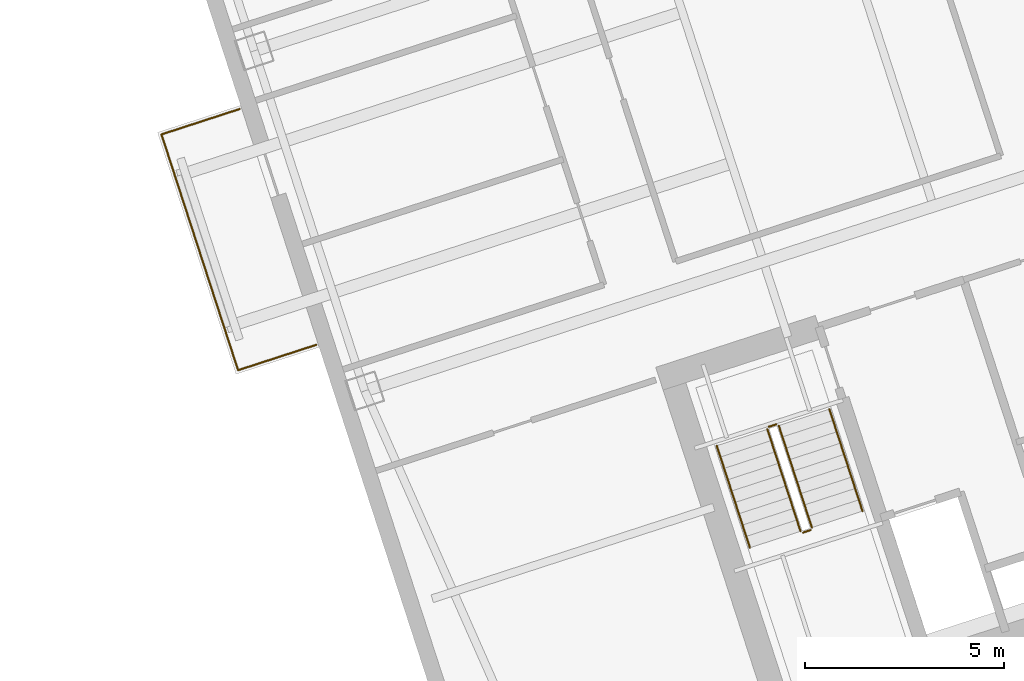
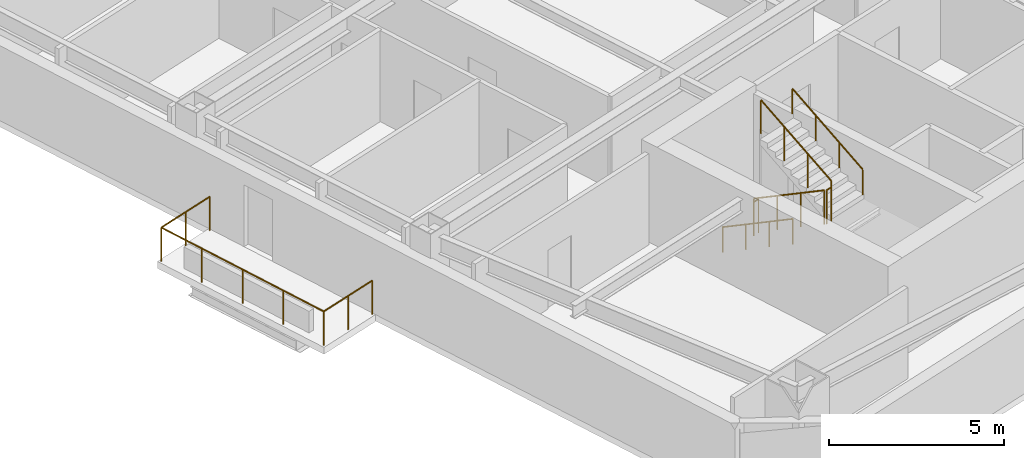
# One storey, part 14 of 15: 7 railings.
"""IFC4 building model written with IfcOpenShell, lengths in metres."""

from ifc_helpers import new_model, si_unit, direction, frame, origin, origin_2d, place, context, subcontext, project, spatial, circle, extrude, material, type_object, element, save


model = new_model("IFC4")

# Units and contexts
model_context = context("Model", 3, precision=1e-05, world=origin(), true_north=direction((0.0, 1.0)))
body_context = subcontext(model_context, "Body", "Model", "MODEL_VIEW")
ifc_project = project(units=[si_unit("LENGTHUNIT", "METRE"), si_unit("AREAUNIT", "SQUARE_METRE"), si_unit("VOLUMEUNIT", "CUBIC_METRE"), si_unit("PLANEANGLEUNIT", "RADIAN"), si_unit("MASSUNIT", "GRAM", prefix="KILO")], contexts=[model_context])

# Site, building, storey
site_placement = place(None, origin())
site = spatial("IfcSite", under=ifc_project, at=site_placement, CompositionType="ELEMENT")
building_placement = place(site_placement, origin())
building = spatial("IfcBuilding", under=site, at=building_placement, Name="Qiaolan Cultural Towers", CompositionType="ELEMENT")
storey_placement = place(building_placement, frame((0.0, 0.0, 166.75)))
storey = spatial("IfcBuildingStorey", under=building, at=storey_placement, Name="L44", CompositionType="ELEMENT", Elevation=166.75)

# Railings
ifc_material_1 = material(Name="Laminated SentryGlas & Stainless Steel S31608 Balustrade", Category="steel")
railing_type_1 = type_object("IfcRailingType", Name="GRD-TERR-1200", PredefinedType="BALUSTRADE", material=ifc_material_1)
railing_1_placement = place(storey_placement, frame((77.24951171875, 21.9501953125, 0.0)))
element("IfcRailing", 1, at=railing_1_placement, inside=storey, type_object=railing_type_1, Name="L44 T2 Tree Balcony Guardrail W", PredefinedType="BALUSTRADE", context=body_context, shape_type="SweptSolid", body=[
    extrude(circle(Radius=0.02392578125, at=origin_2d()), frame((0.0, 0.0, 1.17578125), z_axis=(-0.951061799618, -0.309000733507, 0.0), x_axis=(0.309000733507, -0.951061799618, 0.0)), (0.0, 0.0, 1.0), 2.070068359375),
    extrude(circle(Radius=0.02392578125, at=origin_2d()), frame((-1.96875, -0.6396484375, 1.17578125), z_axis=(-0.30901175762, 0.951058217804, 0.0), x_axis=(-0.951058217804, -0.30901175762, 0.0)), (0.0, 0.0, 1.0), 6.239990234375),
    extrude(circle(Radius=0.02392578125, at=origin_2d()), frame((-3.89697265625, 5.294921875, 1.17578125), z_axis=(0.951061799618, 0.309000733507, 0.0), x_axis=(-0.309000733507, 0.951061799618, 0.0)), (0.0, 0.0, 1.0), 2.070068359375),
    extrude(circle(Radius=0.02099609375, at=origin_2d()), origin(), (0.0, 0.0, 1.0), 1.15185546875),
    extrude(circle(Radius=0.02099609375, at=origin_2d()), frame((-0.984375, -0.31982421875, 0.0)), (0.0, 0.0, 1.0), 1.15185546875),
    extrude(circle(Radius=0.02099609375, at=origin_2d()), frame((-1.96875, -0.6396484375, 0.0)), (0.0, 0.0, 1.0), 1.15185546875),
    extrude(circle(Radius=0.02099609375, at=origin_2d()), frame((-2.45068359375, 0.843994140625, 0.0)), (0.0, 0.0, 1.0), 1.15185546875),
    extrude(circle(Radius=0.02099609375, at=origin_2d()), frame((-2.932861328125, 2.32763671875, 0.0)), (0.0, 0.0, 1.0), 1.15185546875),
    extrude(circle(Radius=0.02099609375, at=origin_2d()), frame((-3.4150390625, 3.811279296875, 0.0)), (0.0, 0.0, 1.0), 1.15185546875),
    extrude(circle(Radius=0.02099609375, at=origin_2d()), frame((-3.89697265625, 5.294921875, 0.0)), (0.0, 0.0, 1.0), 1.15185546875),
    extrude(circle(Radius=0.02099609375, at=origin_2d()), frame((-2.91259765625, 5.61474609375, 0.0)), (0.0, 0.0, 1.0), 1.15185546875),
    extrude(circle(Radius=0.02099609375, at=origin_2d()), frame((-1.92822265625, 5.9345703125, 0.0)), (0.0, 0.0, 1.0), 1.15185546875),
])
ifc_material_2 = material(Name="Galvanized Painted Steel Stair Guardrail", Category="steel")
railing_type_2 = type_object("IfcRailingType", Name="RL-STAIR-GRD", PredefinedType="GUARDRAIL", material=ifc_material_2)
railing_2_placement = place(storey_placement, frame((88.60205078125, 19.82421875, 0.172607421875)))
element("IfcRailing", 2, at=railing_2_placement, inside=storey, type_object=railing_type_2, Name="L44 ST-E1 stair guard 1", PredefinedType="GUARDRAIL", context=body_context, shape_type="SweptSolid", body=[
    extrude(circle(Radius=0.02392578125, at=origin_2d()), frame((0.0, 0.0, 1.17578125), z_axis=(0.267925668498, -0.824471088726, 0.498460891159), x_axis=(0.951043371037, 0.309057448393, 0.0)), (0.0, 0.0, 1.0), 3.114501953125),
    extrude(circle(Radius=0.02099609375, at=origin_2d()), origin(), (0.0, 0.0, 1.0), 1.15185546875),
    extrude(circle(Radius=0.02099609375, at=origin_2d()), frame((0.278076171875, -0.85595703125, 0.517578125)), (0.0, 0.0, 1.0), 1.15185546875),
    extrude(circle(Radius=0.02099609375, at=origin_2d()), frame((0.556396484375, -1.7119140625, 1.034912109375)), (0.0, 0.0, 1.0), 1.15185546875),
    extrude(circle(Radius=0.02099609375, at=origin_2d()), frame((0.83447265625, -2.56787109375, 1.552490234375)), (0.0, 0.0, 1.0), 1.15185546875),
])
railing_3_placement = place(storey_placement, frame((89.49951171875, 17.224365234375, 1.72509765625)))
element("IfcRailing", 3, at=railing_3_placement, inside=storey, type_object=railing_type_2, Name="L44 ST-E1 stair guard 2", PredefinedType="GUARDRAIL", context=body_context, shape_type="SweptSolid", body=[
    extrude(circle(Radius=0.02392578125, at=origin_2d()), frame((0.0, 0.0, 1.17578125), z_axis=(0.951096855055, 0.308892816854, 0.0), x_axis=(-0.308892816854, 0.951096855055, 0.0)), (0.0, 0.0, 1.0), 0.199951171875),
    extrude(circle(Radius=0.02099609375, at=origin_2d()), origin(), (0.0, 0.0, 1.0), 1.15185546875),
    extrude(circle(Radius=0.02099609375, at=origin_2d()), frame((0.190185546875, 0.061767578125, 0.0)), (0.0, 0.0, 1.0), 1.15185546875),
])
railing_4_placement = place(storey_placement, frame((89.721923828125, 17.34912109375, 1.8974609375)))
element("IfcRailing", 4, at=railing_4_placement, inside=storey, type_object=railing_type_2, Name="L44 ST-E1 stair guard 3", PredefinedType="GUARDRAIL", context=body_context, shape_type="SweptSolid", body=[
    extrude(circle(Radius=0.02392578125, at=origin_2d()), frame((0.0, 0.0, 1.17578125), z_axis=(-0.267925668498, 0.824471088726, 0.498460891159), x_axis=(-0.951043371037, -0.309057448393, 0.0)), (0.0, 0.0, 1.0), 3.114501953125),
    extrude(circle(Radius=0.02099609375, at=origin_2d()), origin(), (0.0, 0.0, 1.0), 1.15185546875),
    extrude(circle(Radius=0.02099609375, at=origin_2d()), frame((-0.278076171875, 0.85595703125, 0.517578125)), (0.0, 0.0, 1.0), 1.15185546875),
    extrude(circle(Radius=0.02099609375, at=origin_2d()), frame((-0.556396484375, 1.7119140625, 1.034912109375)), (0.0, 0.0, 1.0), 1.15185546875),
    extrude(circle(Radius=0.02099609375, at=origin_2d()), frame((-0.83447265625, 2.56787109375, 1.552490234375)), (0.0, 0.0, 1.0), 1.15185546875),
])
railing_5_placement = place(storey_placement, frame((88.63427734375, 19.88720703125, 0.0)))
element("IfcRailing", 5, at=railing_5_placement, inside=storey, type_object=railing_type_2, Name="L44 ST-E1 stair guard 4", PredefinedType="GUARDRAIL", context=body_context, shape_type="SweptSolid", body=[
    extrude(circle(Radius=0.02392578125, at=origin_2d()), frame((0.0, 0.0, 1.17578125), z_axis=(0.951096855055, 0.308892816854, 0.0), x_axis=(-0.308892816854, 0.951096855055, 0.0)), (0.0, 0.0, 1.0), 0.199951171875),
    extrude(circle(Radius=0.02099609375, at=origin_2d()), origin(), (0.0, 0.0, 1.0), 1.15185546875),
    extrude(circle(Radius=0.02099609375, at=origin_2d()), frame((0.190185546875, 0.061767578125, 0.0)), (0.0, 0.0, 1.0), 1.15185546875),
])
ifc_material_3 = material(Name="Stainless Steel S30408 Tubular Handrail", Category="steel")
railing_type_3 = type_object("IfcRailingType", Name="RL-STAIR-HR", PredefinedType="HANDRAIL", material=ifc_material_3)
railing_6_placement = place(storey_placement, frame((87.32763671875, 19.41015625, 0.172607421875)))
element("IfcRailing", 6, at=railing_6_placement, inside=storey, type_object=railing_type_3, Name="L44 ST-E1 stair handrail 1", PredefinedType="HANDRAIL", context=body_context, shape_type="SweptSolid", body=[
    extrude(circle(Radius=0.02392578125, at=origin_2d()), frame((0.0, 0.0, 0.8759765625), z_axis=(0.267925668498, -0.824471088726, 0.498460891159), x_axis=(0.951043371037, 0.309057448393, 0.0)), (0.0, 0.0, 1.0), 3.114501953125),
    extrude(circle(Radius=0.02099609375, at=origin_2d()), origin(), (0.0, 0.0, 1.0), 0.851806640625),
    extrude(circle(Radius=0.02099609375, at=origin_2d()), frame((0.278076171875, -0.85595703125, 0.517578125)), (0.0, 0.0, 1.0), 0.851806640625),
    extrude(circle(Radius=0.02099609375, at=origin_2d()), frame((0.556396484375, -1.7119140625, 1.034912109375)), (0.0, 0.0, 1.0), 0.851806640625),
    extrude(circle(Radius=0.02099609375, at=origin_2d()), frame((0.83447265625, -2.56787109375, 1.552490234375)), (0.0, 0.0, 1.0), 0.851806640625),
])
railing_7_placement = place(storey_placement, frame((90.996337890625, 17.76318359375, 1.8974609375)))
element("IfcRailing", 7, at=railing_7_placement, inside=storey, type_object=railing_type_3, Name="L44 ST-E1 stair handrail 2", PredefinedType="HANDRAIL", context=body_context, shape_type="SweptSolid", body=[
    extrude(circle(Radius=0.02392578125, at=origin_2d()), frame((0.0, 0.0, 0.8759765625), z_axis=(-0.267925668498, 0.824471088726, 0.498460891159), x_axis=(-0.951043371037, -0.309057448393, 0.0)), (0.0, 0.0, 1.0), 3.114501953125),
    extrude(circle(Radius=0.02099609375, at=origin_2d()), origin(), (0.0, 0.0, 1.0), 0.851806640625),
    extrude(circle(Radius=0.02099609375, at=origin_2d()), frame((-0.278076171875, 0.85595703125, 0.517578125)), (0.0, 0.0, 1.0), 0.851806640625),
    extrude(circle(Radius=0.02099609375, at=origin_2d()), frame((-0.556396484375, 1.7119140625, 1.034912109375)), (0.0, 0.0, 1.0), 0.851806640625),
    extrude(circle(Radius=0.02099609375, at=origin_2d()), frame((-0.83447265625, 2.56787109375, 1.552490234375)), (0.0, 0.0, 1.0), 0.851806640625),
])

save(model, "model.ifc")
